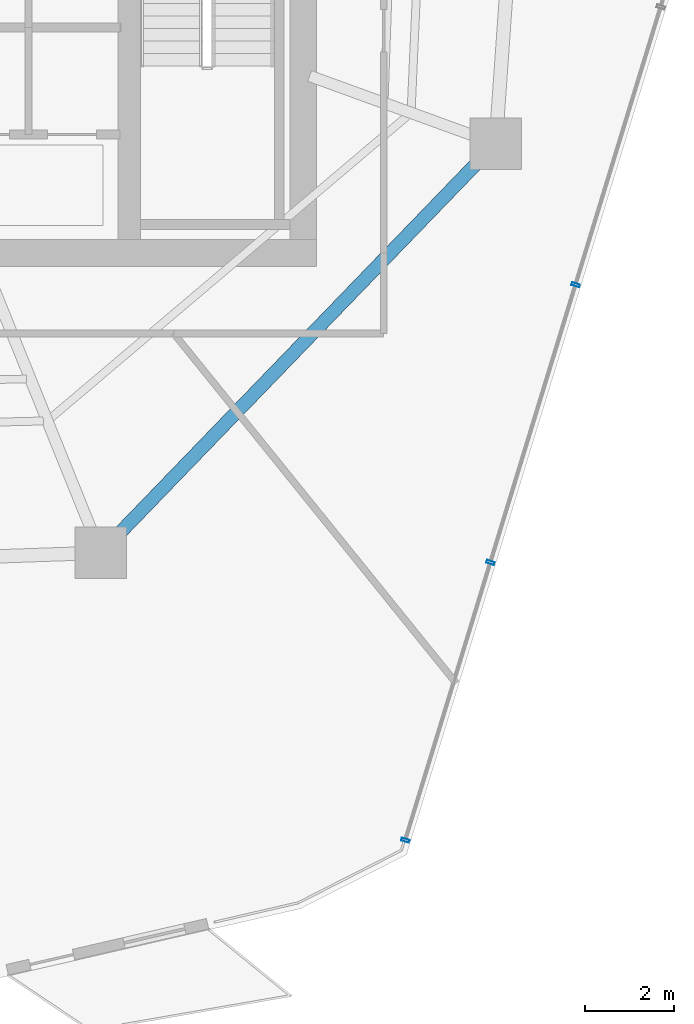
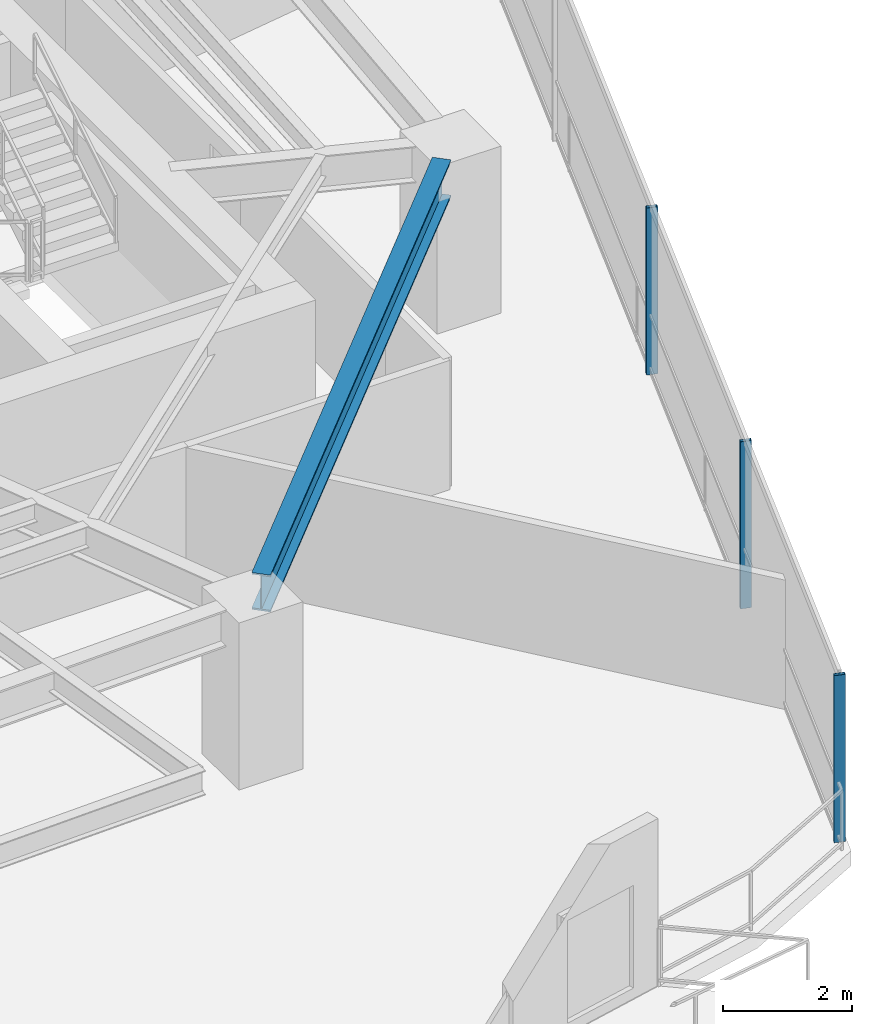
# One storey, part 7 of 23: 3 members, 1 beam, 1 element without a shape of its own.
"""IFC4 building model written with IfcOpenShell, lengths in metres."""

from ifc_helpers import new_model, si_unit, direction, frame, origin, origin_2d, place, context, subcontext, project, spatial, hollow_rectangle, i_section, extrude, material, layer, layer_set, material_profile, profile_set, type_object, element, aggregate, save


model = new_model("IFC4")

# Units and contexts
model_context = context("Model", 3, precision=1e-05, world=origin(), true_north=direction((0.0, 1.0)))
body_context = subcontext(model_context, "Body", "Model", "MODEL_VIEW")
ifc_project = project(units=[si_unit("LENGTHUNIT", "METRE"), si_unit("AREAUNIT", "SQUARE_METRE"), si_unit("VOLUMEUNIT", "CUBIC_METRE"), si_unit("PLANEANGLEUNIT", "RADIAN"), si_unit("MASSUNIT", "GRAM", prefix="KILO")], contexts=[model_context])

# Site, building, storey
site_placement = place(None, origin())
site = spatial("IfcSite", under=ifc_project, at=site_placement, CompositionType="ELEMENT")
building_placement = place(site_placement, origin())
building = spatial("IfcBuilding", under=site, at=building_placement, Name="Qarnah Convention Tower", CompositionType="ELEMENT")
storey_placement = place(building_placement, frame((0.0, 0.0, 114.300048828125)))
storey = spatial("IfcBuildingStorey", under=building, at=storey_placement, Name="L30", CompositionType="ELEMENT", Elevation=114.300048828125)

# Beam
ifc_material_1 = material(Name="Structural steel S355JR", Category="steel")
ifc_material_profile_1 = material_profile(ifc_material_1, i_section(OverallWidth=0.300048828125, OverallDepth=0.699951171875, WebThickness=0.01708984375, FlangeThickness=0.031982421875, at=origin_2d()), Name="HEB700")
ifc_profile_set_1 = profile_set([ifc_material_profile_1], Name="Structural steel S355JR")
beam_type = type_object("IfcBeamType", Name="BM-RING-HEB700", PredefinedType="BEAM", material=ifc_profile_set_1)
beam_placement = place(storey_placement, frame((43.455078125, 12.2958984375, 2.820068359375), z_axis=(0.694656478954, 0.719341626939, 0.0), x_axis=(-0.719341626939, 0.694656478954, 0.0)))
element("IfcBeam", 1, at=beam_placement, inside=storey, type_object=beam_type, Name="L30 beam BM-L30-SPN-08", PredefinedType="BEAM", context=body_context, shape_type="SweptSolid", body=[
    extrude(i_section(OverallWidth=0.300048828125, OverallDepth=0.699951171875, WebThickness=0.01708984375, FlangeThickness=0.031982421875, at=origin_2d()), origin(), (0.0, 0.0, 1.0), 11.60107421875),
])

# Curtain wall, members
ifc_material_2 = material(Name="Tempered Low-E dark glass", Category="glass")
ifc_layer = layer(ifc_material_2, 0.169921875)
ifc_layer_set = layer_set([ifc_layer], Name="Tempered Low-E dark glass")
curtain_wall_type = type_object("IfcCurtainWallType", Name="CWS-02", PredefinedType="NOTDEFINED", material=ifc_layer_set)
curtain_wall_placement = place(storey_placement, origin())
curtain_wall = element("IfcCurtainWall", 2, at=curtain_wall_placement, inside=storey, type_object=curtain_wall_type, Name="L30 unitised curtain wall CW-L30-F2", PredefinedType="NOTDEFINED")
ifc_material_3 = material(Name="Black anodised aluminium", Category="aluminium")
ifc_material_profile_2 = material_profile(ifc_material_3, hollow_rectangle(XDim=0.06494140625, YDim=0.179931640625, WallThickness=0.00390625, at=origin_2d()), Name="MUL-65X180")
ifc_profile_set_2 = profile_set([ifc_material_profile_2], Name="Black anodised aluminium")
member_type = type_object("IfcMemberType", Name="MUL-T2", PredefinedType="MULLION", material=ifc_profile_set_2)
member_1_placement = place(storey_placement, frame((53.69482421875, 17.88818359375, 0.0), z_axis=(0.0, 0.0, 1.0), x_axis=(-0.293046001666, -0.956098342697, 0.0)))
member_1 = element("IfcMember", 3, at=member_1_placement, type_object=member_type, Name="CW-L30-F2 mullion 4", PredefinedType="MULLION", context=body_context, shape_type="SweptSolid", body=[
    extrude(hollow_rectangle(XDim=0.06494140625, YDim=0.179931640625, WallThickness=0.00390625, at=origin_2d()), origin(), (0.0, 0.0, 1.0), 3.169921875),
])
member_2_placement = place(storey_placement, frame((51.789306640625, 11.671630859375, 0.0), z_axis=(0.0, 0.0, 1.0), x_axis=(-0.293046001666, -0.956098342697, 0.0)))
member_2 = element("IfcMember", 4, at=member_2_placement, type_object=member_type, Name="CW-L30-F2 mullion 5", PredefinedType="MULLION", context=body_context, shape_type="SweptSolid", body=[
    extrude(hollow_rectangle(XDim=0.06494140625, YDim=0.179931640625, WallThickness=0.00390625, at=origin_2d()), origin(), (0.0, 0.0, 1.0), 3.169921875),
])
member_3_placement = place(storey_placement, frame((49.884033203125, 5.455078125, 0.0), z_axis=(0.0, 0.0, 1.0), x_axis=(-0.293046001666, -0.956098342697, 0.0)))
member_3 = element("IfcMember", 5, at=member_3_placement, type_object=member_type, Name="CW-L30-F2 mullion 6", PredefinedType="MULLION", context=body_context, shape_type="SweptSolid", body=[
    extrude(hollow_rectangle(XDim=0.06494140625, YDim=0.179931640625, WallThickness=0.00390625, at=origin_2d()), origin(), (0.0, 0.0, 1.0), 3.169921875),
])
aggregate(curtain_wall, [member_1, member_2, member_3])

save(model, "model.ifc")
